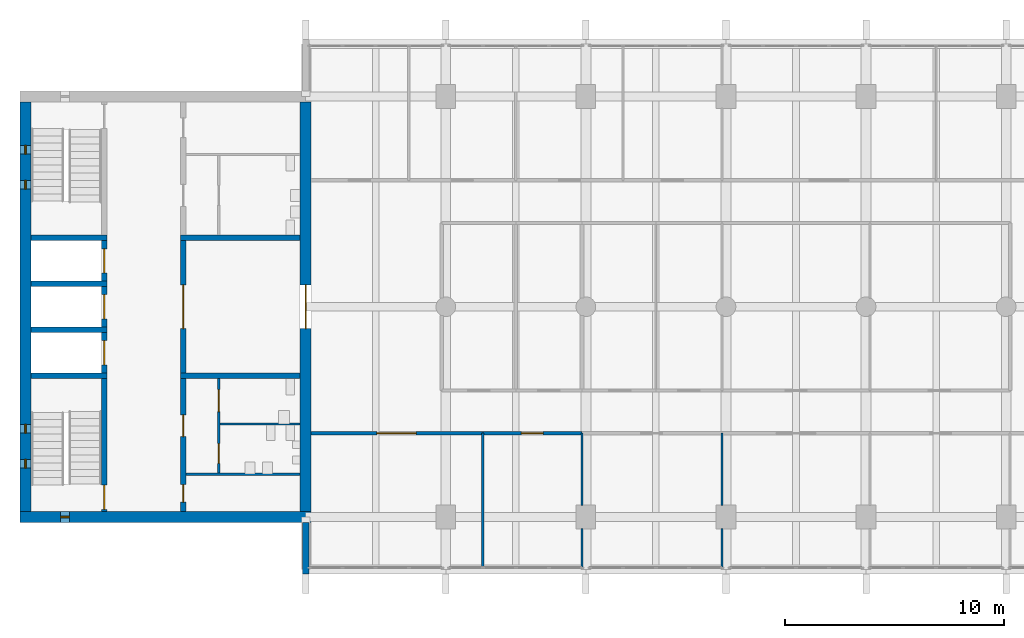
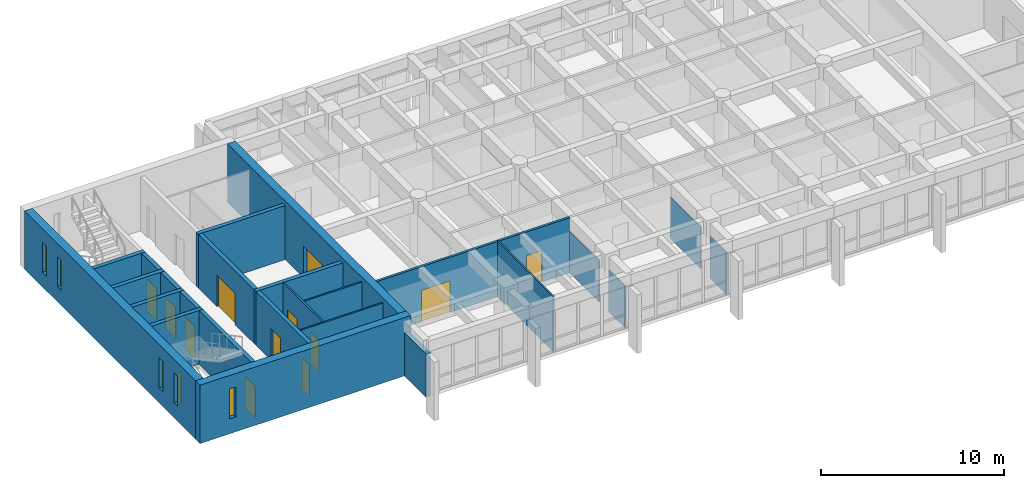
# One storey, part 9 of 15: 26 walls, 12 doors, 5 windows, 17 openings.
"""IFC4 building model written with IfcOpenShell, lengths in metres."""

from ifc_helpers import new_model, si_unit, direction, frame, frame_2d, origin, place, context, subcontext, project, spatial, rectangle, extrude, material, layer, layer_set, type_object, element, fill, save


model = new_model("IFC4")

# Units and contexts
model_context = context("Model", 3, precision=1e-05, world=origin(), true_north=direction((0.0, 1.0)))
body_context = subcontext(model_context, "Body", "Model", "MODEL_VIEW")
ifc_project = project(units=[si_unit("LENGTHUNIT", "METRE"), si_unit("AREAUNIT", "SQUARE_METRE"), si_unit("VOLUMEUNIT", "CUBIC_METRE"), si_unit("PLANEANGLEUNIT", "RADIAN"), si_unit("MASSUNIT", "GRAM", prefix="KILO")], contexts=[model_context])

# Site, building, storey
site_placement = place(None, origin())
site = spatial("IfcSite", under=ifc_project, at=site_placement, CompositionType="ELEMENT")
building_placement = place(site_placement, origin())
building = spatial("IfcBuilding", under=site, at=building_placement, Name="Fogon Plaza Fire Station and Headquarters Tower", CompositionType="ELEMENT")
storey_placement = place(building_placement, frame((0.0, 0.0, 48.300048828125)))
storey = spatial("IfcBuildingStorey", under=building, at=storey_placement, Name="L12", CompositionType="ELEMENT", Elevation=48.300048828125)

# Walls
ifc_material_1 = material(Name="Concrete C40", Category="concrete")
ifc_layer_1 = layer(ifc_material_1, 0.25)
ifc_layer_set_1 = layer_set([ifc_layer_1], Name="Concrete C40")
wall_type_1 = type_object("IfcWallType", Name="Core Wall RC 250", PredefinedType="SOLIDWALL", material=ifc_layer_set_1)
for number, where, z_axis, x_axis, name in (
    (1, (13.050048828125, 40.050048828125, 0.0), (0.0, 0.0, 1.0), (1.0, 0.0, 0.0), "Core A shaft wall"),
    (2, (13.050048828125, 42.14990234375, 0.0), (0.0, 0.0, 1.0), (1.0, 0.0, 0.0), "Core A shaft wall"),
    (3, (13.050048828125, 44.25, 0.0), (0.0, 0.0, 1.0), (1.0, 0.0, 0.0), "Core A shaft wall"),
    (4, (13.050048828125, 46.35009765625, 0.0), (0.0, 0.0, 1.0), (1.0, 0.0, 0.0), "Core A shaft wall"),
):
    element("IfcWall", number, at=place(storey_placement, frame(where, z_axis=z_axis, x_axis=x_axis)), inside=storey, type_object=wall_type_1, Name=name, PredefinedType="SOLIDWALL", context=body_context, shape_type="SweptSolid", body=[
        extrude(rectangle(XDim=3.474853515625, YDim=0.25, at=frame_2d((1.7373046875, 0.0))), origin(), (0.0, 0.0, 1.0), 3.599853515625),
    ])

# Wall, opening, door
wall_1_placement = place(storey_placement, frame((16.39990234375, 33.85009765625, 0.0), z_axis=(0.0, 0.0, 1.0), x_axis=(0.0, 1.0, 0.0)))
wall_1 = element("IfcWall", 5, at=wall_1_placement, inside=storey, type_object=wall_type_1, Name="Core A shaft wall", PredefinedType="SOLIDWALL", context=body_context, shape_type="SweptSolid", body=[
    extrude(rectangle(XDim=6.074951171875, YDim=0.25, at=frame_2d((3.03759765625, 0.0))), origin(), (0.0, 0.0, 1.0), 3.599853515625),
])
opening_1_placement = place(wall_1_placement, frame((0.10009765625, 0.0, 0.0)))
opening_1 = element("IfcOpeningElement", 6, at=opening_1_placement, cuts=wall_1, Name="Opening L12-D01", PredefinedType="OPENING", context=body_context, shape_type="SweptSolid", body=[
    extrude(rectangle(XDim=1.10009765625, YDim=2.10009765625, at=frame_2d((0.550048828125, 1.050048828125))), frame((0.0, 0.135009765625, 0.0), z_axis=(0.0, -1.0, 0.0), x_axis=(1.0, 0.0, 0.0)), (0.0, 0.0, 1.0), 0.27001953125),
])
ifc_material_2 = material(Name="Steel Fire Door Leaf", Category="steel")
door_type_1 = type_object("IfcDoorType", Name="Stair Door Single 1100x2100", OperationType="SINGLE_SWING_LEFT", PredefinedType="DOOR", material=ifc_material_2)
door_1_placement = place(opening_1_placement, origin())
door_1 = element("IfcDoor", 7, at=door_1_placement, inside=storey, type_object=door_type_1, Name="Stair door ST1", OperationType="SINGLE_SWING_LEFT", OverallHeight=2.10009765625, OverallWidth=1.10009765625, PredefinedType="DOOR", context=body_context, shape_type="SweptSolid", body=[
    extrude(rectangle(XDim=1.10009765625, YDim=2.10009765625, at=frame_2d((0.550048828125, 1.050048828125))), frame((0.0, 0.02490234375, 0.0), z_axis=(0.0, -1.0, 0.0), x_axis=(1.0, 0.0, 0.0)), (0.0, 0.0, 1.0), 0.050048828125),
])
fill(opening_1, door_1)

wall_2_placement = place(storey_placement, frame((16.39990234375, 40.175048828125, 0.0), z_axis=(0.0, 0.0, 1.0), x_axis=(0.0, 1.0, 0.0)))
wall_2 = element("IfcWall", 8, at=wall_2_placement, inside=storey, type_object=wall_type_1, Name="Core A shaft wall", PredefinedType="SOLIDWALL", context=body_context, shape_type="SweptSolid", body=[
    extrude(rectangle(XDim=1.849853515625, YDim=0.25, at=frame_2d((0.9248046875, 0.0))), origin(), (0.0, 0.0, 1.0), 3.599853515625),
])
opening_2_placement = place(wall_2_placement, frame((0.375, 0.0, 0.0)))
opening_2 = element("IfcOpeningElement", 9, at=opening_2_placement, cuts=wall_2, Name="Opening L12-D03", PredefinedType="OPENING", context=body_context, shape_type="SweptSolid", body=[
    extrude(rectangle(XDim=1.10009765625, YDim=2.10009765625, at=frame_2d((0.550048828125, 1.050048828125))), frame((0.0, 0.135009765625, 0.0), z_axis=(0.0, -1.0, 0.0), x_axis=(1.0, 0.0, 0.0)), (0.0, 0.0, 1.0), 0.27001953125),
])
ifc_material_3 = material(Name="Stainless Steel", Category="steel")
door_type_2 = type_object("IfcDoorType", Name="Lift Landing Door 1100x2100", OperationType="SLIDING_TO_LEFT", PredefinedType="DOOR", material=ifc_material_3)
door_2_placement = place(opening_2_placement, origin())
door_2 = element("IfcDoor", 10, at=door_2_placement, inside=storey, type_object=door_type_2, Name="Lift LP1 landing door", OperationType="SLIDING_TO_LEFT", OverallHeight=2.10009765625, OverallWidth=1.10009765625, PredefinedType="DOOR", context=body_context, shape_type="SweptSolid", body=[
    extrude(rectangle(XDim=1.10009765625, YDim=2.10009765625, at=frame_2d((0.550048828125, 1.050048828125))), frame((0.0, 0.02490234375, 0.0), z_axis=(0.0, -1.0, 0.0), x_axis=(1.0, 0.0, 0.0)), (0.0, 0.0, 1.0), 0.050048828125),
])
fill(opening_2, door_2)

wall_3_placement = place(storey_placement, frame((16.39990234375, 42.27490234375, 0.0), z_axis=(0.0, 0.0, 1.0), x_axis=(0.0, 1.0, 0.0)))
wall_3 = element("IfcWall", 11, at=wall_3_placement, inside=storey, type_object=wall_type_1, Name="Core A shaft wall", PredefinedType="SOLIDWALL", context=body_context, shape_type="SweptSolid", body=[
    extrude(rectangle(XDim=1.85009765625, YDim=0.25, at=frame_2d((0.925048828125, 0.0))), origin(), (0.0, 0.0, 1.0), 3.599853515625),
])
opening_3_placement = place(wall_3_placement, frame((0.375, 0.0, 0.0)))
opening_3 = element("IfcOpeningElement", 12, at=opening_3_placement, cuts=wall_3, Name="Opening L12-D04", PredefinedType="OPENING", context=body_context, shape_type="SweptSolid", body=[
    extrude(rectangle(XDim=1.10009765625, YDim=2.10009765625, at=frame_2d((0.550048828125, 1.050048828125))), frame((0.0, 0.135009765625, 0.0), z_axis=(0.0, -1.0, 0.0), x_axis=(1.0, 0.0, 0.0)), (0.0, 0.0, 1.0), 0.27001953125),
])
door_3_placement = place(opening_3_placement, origin())
door_3 = element("IfcDoor", 13, at=door_3_placement, inside=storey, type_object=door_type_2, Name="Lift LP2 landing door", OperationType="SLIDING_TO_LEFT", OverallHeight=2.10009765625, OverallWidth=1.10009765625, PredefinedType="DOOR", context=body_context, shape_type="SweptSolid", body=[
    extrude(rectangle(XDim=1.10009765625, YDim=2.10009765625, at=frame_2d((0.550048828125, 1.050048828125))), frame((0.0, 0.02490234375, 0.0), z_axis=(0.0, -1.0, 0.0), x_axis=(1.0, 0.0, 0.0)), (0.0, 0.0, 1.0), 0.050048828125),
])
fill(opening_3, door_3)

wall_4_placement = place(storey_placement, frame((16.39990234375, 44.375, 0.0), z_axis=(0.0, 0.0, 1.0), x_axis=(0.0, 1.0, 0.0)))
wall_4 = element("IfcWall", 14, at=wall_4_placement, inside=storey, type_object=wall_type_1, Name="Core A shaft wall", PredefinedType="SOLIDWALL", context=body_context, shape_type="SweptSolid", body=[
    extrude(rectangle(XDim=1.85009765625, YDim=0.25, at=frame_2d((0.925048828125, 0.0))), origin(), (0.0, 0.0, 1.0), 3.599853515625),
])
opening_4_placement = place(wall_4_placement, frame((0.375, 0.0, 0.0)))
opening_4 = element("IfcOpeningElement", 15, at=opening_4_placement, cuts=wall_4, Name="Opening L12-D05", PredefinedType="OPENING", context=body_context, shape_type="SweptSolid", body=[
    extrude(rectangle(XDim=1.10009765625, YDim=2.10009765625, at=frame_2d((0.550048828125, 1.050048828125))), frame((0.0, 0.135009765625, 0.0), z_axis=(0.0, -1.0, 0.0), x_axis=(1.0, 0.0, 0.0)), (0.0, 0.0, 1.0), 0.27001953125),
])
door_4_placement = place(opening_4_placement, origin())
door_4 = element("IfcDoor", 16, at=door_4_placement, inside=storey, type_object=door_type_2, Name="Lift FL1 landing door", OperationType="SLIDING_TO_LEFT", OverallHeight=2.10009765625, OverallWidth=1.10009765625, PredefinedType="DOOR", context=body_context, shape_type="SweptSolid", body=[
    extrude(rectangle(XDim=1.10009765625, YDim=2.10009765625, at=frame_2d((0.550048828125, 1.050048828125))), frame((0.0, 0.02490234375, 0.0), z_axis=(0.0, -1.0, 0.0), x_axis=(1.0, 0.0, 0.0)), (0.0, 0.0, 1.0), 0.050048828125),
])
fill(opening_4, door_4)

# Wall, openings, doors
wall_5_placement = place(storey_placement, frame((20.0, 33.85009765625, 0.0), z_axis=(0.0, 0.0, 1.0), x_axis=(0.0, 1.0, 0.0)))
wall_5 = element("IfcWall", 17, at=wall_5_placement, inside=storey, type_object=wall_type_1, Name="Core A shaft wall", PredefinedType="SOLIDWALL", context=body_context, shape_type="SweptSolid", body=[
    extrude(rectangle(XDim=6.074951171875, YDim=0.25, at=frame_2d((3.03759765625, 0.0))), origin(), (0.0, 0.0, 1.0), 3.599853515625),
])
opening_5_placement = place(wall_5_placement, frame((0.425048828125, 0.0, 0.0)))
opening_5 = element("IfcOpeningElement", 18, at=opening_5_placement, cuts=wall_5, Name="Opening L12-D08", PredefinedType="OPENING", context=body_context, shape_type="SweptSolid", body=[
    extrude(rectangle(XDim=0.800048828125, YDim=2.10009765625, at=frame_2d((0.39990234375, 1.050048828125))), frame((0.0, 0.135009765625, 0.0), z_axis=(0.0, -1.0, 0.0), x_axis=(1.0, 0.0, 0.0)), (0.0, 0.0, 1.0), 0.27001953125),
])
opening_6_placement = place(wall_5_placement, frame((3.41259765625, 0.0, 0.0)))
opening_6 = element("IfcOpeningElement", 19, at=opening_6_placement, cuts=wall_5, Name="Opening L12-D09", PredefinedType="OPENING", context=body_context, shape_type="SweptSolid", body=[
    extrude(rectangle(XDim=1.0, YDim=2.10009765625, at=frame_2d((0.5, 1.050048828125))), frame((0.0, 0.135009765625, 0.0), z_axis=(0.0, -1.0, 0.0), x_axis=(1.0, 0.0, 0.0)), (0.0, 0.0, 1.0), 0.27001953125),
])
ifc_material_4 = material(Name="Timber Door Leaf", Category="wood")
door_type_3 = type_object("IfcDoorType", Name="Cleaner Store Single 800x2100", OperationType="SINGLE_SWING_LEFT", PredefinedType="DOOR", material=ifc_material_4)
door_5_placement = place(opening_5_placement, frame((0.800048828125, 0.0, 0.0), z_axis=(0.0, 0.0, 1.0), x_axis=(-1.0, 0.0, 0.0)))
door_5 = element("IfcDoor", 20, at=door_5_placement, inside=storey, type_object=door_type_3, Name="Cleaner's store A door", OperationType="SINGLE_SWING_RIGHT", OverallHeight=2.10009765625, OverallWidth=0.800048828125, PredefinedType="DOOR", context=body_context, shape_type="SweptSolid", body=[
    extrude(rectangle(XDim=0.800048828125, YDim=2.10009765625, at=frame_2d((0.39990234375, 1.050048828125))), frame((0.0, 0.02490234375, 0.0), z_axis=(0.0, -1.0, 0.0), x_axis=(1.0, 0.0, 0.0)), (0.0, 0.0, 1.0), 0.050048828125),
])
fill(opening_5, door_5)
ifc_material_5 = material(Name="Timber fire door", Category="wood")
door_type_4 = type_object("IfcDoorType", Name="WC Lobby Single 1000x2100", OperationType="SINGLE_SWING_LEFT", PredefinedType="DOOR", material=ifc_material_5)
door_6_placement = place(opening_6_placement, frame((1.0, 0.0, 0.0), z_axis=(0.0, 0.0, 1.0), x_axis=(-1.0, 0.0, 0.0)))
door_6 = element("IfcDoor", 21, at=door_6_placement, inside=storey, type_object=door_type_4, Name="Men's WC lobby A door", OperationType="SINGLE_SWING_LEFT", OverallHeight=2.10009765625, OverallWidth=1.0, PredefinedType="DOOR", context=body_context, shape_type="SweptSolid", body=[
    extrude(rectangle(XDim=1.0, YDim=2.10009765625, at=frame_2d((0.5, 1.050048828125))), frame((0.0, 0.02490234375, 0.0), z_axis=(0.0, -1.0, 0.0), x_axis=(1.0, 0.0, 0.0)), (0.0, 0.0, 1.0), 0.050048828125),
])
fill(opening_6, door_6)

# Wall, opening, door
wall_6_placement = place(storey_placement, frame((20.0, 40.175048828125, 0.0), z_axis=(0.0, 0.0, 1.0), x_axis=(0.0, 1.0, 0.0)))
wall_6 = element("IfcWall", 22, at=wall_6_placement, inside=storey, type_object=wall_type_1, Name="Core A shaft wall", PredefinedType="SOLIDWALL", context=body_context, shape_type="SweptSolid", body=[
    extrude(rectangle(XDim=6.050048828125, YDim=0.25, at=frame_2d((3.02490234375, 0.0))), origin(), (0.0, 0.0, 1.0), 3.599853515625),
])
opening_7_placement = place(wall_6_placement, frame((2.02490234375, 0.0, 0.0)))
opening_7 = element("IfcOpeningElement", 23, at=opening_7_placement, cuts=wall_6, Name="Opening L12-D06", PredefinedType="OPENING", context=body_context, shape_type="SweptSolid", body=[
    extrude(rectangle(XDim=2.0, YDim=2.10009765625, at=frame_2d((1.0, 1.050048828125))), frame((0.0, 0.135009765625, 0.0), z_axis=(0.0, -1.0, 0.0), x_axis=(1.0, 0.0, 0.0)), (0.0, 0.0, 1.0), 0.27001953125),
])
ifc_material_6 = material(Name="Steel Fire Door Leaf", Category="steel")
door_type_5 = type_object("IfcDoorType", Name="Vestibule Double 2000x2100", OperationType="DOUBLE_DOOR_SINGLE_SWING", PredefinedType="DOOR", material=ifc_material_6)
door_7_placement = place(opening_7_placement, frame((2.0, 0.0, 0.0), z_axis=(0.0, 0.0, 1.0), x_axis=(-1.0, 0.0, 0.0)))
door_7 = element("IfcDoor", 24, at=door_7_placement, inside=storey, type_object=door_type_5, Name="Vestibule A door", OperationType="DOUBLE_DOOR_SINGLE_SWING", OverallHeight=2.10009765625, OverallWidth=2.0, PredefinedType="DOOR", context=body_context, shape_type="SweptSolid", body=[
    extrude(rectangle(XDim=2.0, YDim=2.10009765625, at=frame_2d((1.0, 1.050048828125))), frame((0.0, 0.02490234375, 0.0), z_axis=(0.0, -1.0, 0.0), x_axis=(1.0, 0.0, 0.0)), (0.0, 0.0, 1.0), 0.050048828125),
])
fill(opening_7, door_7)

# Walls
for number, where, z_axis, x_axis, name in (
    (25, (19.875, 40.050048828125, 0.0), (0.0, 0.0, 1.0), (1.0, 0.0, 0.0), "Core A shaft wall"),
    (26, (19.875, 46.35009765625, 0.0), (0.0, 0.0, 1.0), (1.0, 0.0, 0.0), "Core A shaft wall"),
):
    element("IfcWall", number, at=place(storey_placement, frame(where, z_axis=z_axis, x_axis=x_axis)), inside=storey, type_object=wall_type_1, Name=name, PredefinedType="SOLIDWALL", context=body_context, shape_type="SweptSolid", body=[
        extrude(rectangle(XDim=5.47509765625, YDim=0.25, at=frame_2d((2.737548828125, 0.0))), origin(), (0.0, 0.0, 1.0), 3.599853515625),
    ])
ifc_material_7 = material(Name="Concrete C40", Category="concrete")
ifc_layer_2 = layer(ifc_material_7, 0.300048828125)
ifc_layer_set_2 = layer_set([ifc_layer_2], Name="Concrete C40")
wall_type_2 = type_object("IfcWallType", Name="Fair-faced RC Return Panel 300", PredefinedType="SOLIDWALL", material=ifc_layer_set_2)
wall_7_placement = place(storey_placement, frame((25.60009765625, 31.0, 0.0), z_axis=(0.0, 0.0, 1.0), x_axis=(0.0, 1.0, 0.0)))
element("IfcWall", 27, at=wall_7_placement, inside=storey, type_object=wall_type_2, Name="Bar end return WS L12", PredefinedType="SOLIDWALL", context=body_context, shape_type="SweptSolid", body=[
    extrude(rectangle(XDim=2.35009765625, YDim=0.300048828125, at=frame_2d((1.175048828125, 0.0))), origin(), (0.0, 0.0, 1.0), 2.8798828125),
])
ifc_material_8 = material(Name="Blockwork", Category="masonry")
ifc_layer_3 = layer(ifc_material_8, 0.10009765625)
ifc_layer_set_3 = layer_set([ifc_layer_3], Name="Blockwork")
wall_type_3 = type_object("IfcWallType", Name="Partition Blockwork 100", PredefinedType="PARTITIONING", material=ifc_layer_set_3)
wall_8_placement = place(storey_placement, frame((20.125, 35.550048828125, 0.0), z_axis=(0.0, 0.0, 1.0), x_axis=(1.0, 0.0, 0.0)))
element("IfcWall", 28, at=wall_8_placement, inside=storey, type_object=wall_type_3, Name="Cleaner's store partition", PredefinedType="PARTITIONING", context=body_context, shape_type="SweptSolid", body=[
    extrude(rectangle(XDim=5.22509765625, YDim=0.10009765625, at=frame_2d((2.612548828125, 0.0))), origin(), (0.0, 0.0, 1.0), 3.599853515625),
])

# Wall, openings, doors
wall_9_placement = place(storey_placement, frame((21.625, 35.60009765625, 0.0), z_axis=(0.0, 0.0, 1.0), x_axis=(0.0, 1.0, 0.0)))
wall_9 = element("IfcWall", 29, at=wall_9_placement, inside=storey, type_object=wall_type_3, Name="WC block partition", PredefinedType="PARTITIONING", context=body_context, shape_type="SweptSolid", body=[
    extrude(rectangle(XDim=4.324951171875, YDim=0.10009765625, at=frame_2d((2.16259765625, 0.0))), origin(), (0.0, 0.0, 1.0), 3.599853515625),
])
opening_8_placement = place(wall_9_placement, frame((0.449951171875, 0.0, 0.0)))
opening_8 = element("IfcOpeningElement", 30, at=opening_8_placement, cuts=wall_9, Name="Opening L12-D10", PredefinedType="OPENING", context=body_context, shape_type="SweptSolid", body=[
    extrude(rectangle(XDim=0.89990234375, YDim=2.10009765625, at=frame_2d((0.449951171875, 1.050048828125))), frame((0.0, 0.06005859375, 0.0), z_axis=(0.0, -1.0, 0.0), x_axis=(1.0, 0.0, 0.0)), (0.0, 0.0, 1.0), 0.1201171875),
])
opening_9_placement = place(wall_9_placement, frame((2.8125, 0.0, 0.0)))
opening_9 = element("IfcOpeningElement", 31, at=opening_9_placement, cuts=wall_9, Name="Opening L12-D11", PredefinedType="OPENING", context=body_context, shape_type="SweptSolid", body=[
    extrude(rectangle(XDim=1.0, YDim=2.10009765625, at=frame_2d((0.5, 1.050048828125))), frame((0.0, 0.06005859375, 0.0), z_axis=(0.0, -1.0, 0.0), x_axis=(1.0, 0.0, 0.0)), (0.0, 0.0, 1.0), 0.1201171875),
])
ifc_material_9 = material(Name="Timber Door Leaf", Category="wood")
door_type_6 = type_object("IfcDoorType", Name="Accessible WC Single 1000x2100", OperationType="SINGLE_SWING_LEFT", PredefinedType="DOOR", material=ifc_material_9)
door_8_placement = place(opening_9_placement, frame((1.0, 0.0, 0.0), z_axis=(0.0, 0.0, 1.0), x_axis=(-1.0, 0.0, 0.0)))
door_8 = element("IfcDoor", 32, at=door_8_placement, inside=storey, type_object=door_type_6, Name="Accessible WC A door", OperationType="SINGLE_SWING_LEFT", OverallHeight=2.10009765625, OverallWidth=1.0, PredefinedType="DOOR", context=body_context, shape_type="SweptSolid", body=[
    extrude(rectangle(XDim=1.0, YDim=2.10009765625, at=frame_2d((0.5, 1.050048828125))), frame((0.0, 0.02490234375, 0.0), z_axis=(0.0, -1.0, 0.0), x_axis=(1.0, 0.0, 0.0)), (0.0, 0.0, 1.0), 0.050048828125),
])
fill(opening_9, door_8)
ifc_material_10 = material(Name="Timber Door Leaf", Category="wood")
door_type_7 = type_object("IfcDoorType", Name="WC Single 900x2100", OperationType="SINGLE_SWING_LEFT", PredefinedType="DOOR", material=ifc_material_10)
door_9_placement = place(opening_8_placement, frame((0.89990234375, 0.0, 0.0), z_axis=(0.0, 0.0, 1.0), x_axis=(-1.0, 0.0, 0.0)))
door_9 = element("IfcDoor", 33, at=door_9_placement, inside=storey, type_object=door_type_7, Name="Men's WC A door", OperationType="SINGLE_SWING_RIGHT", OverallHeight=2.10009765625, OverallWidth=0.89990234375, PredefinedType="DOOR", context=body_context, shape_type="SweptSolid", body=[
    extrude(rectangle(XDim=0.89990234375, YDim=2.10009765625, at=frame_2d((0.449951171875, 1.050048828125))), frame((0.0, 0.02490234375, 0.0), z_axis=(0.0, -1.0, 0.0), x_axis=(1.0, 0.0, 0.0)), (0.0, 0.0, 1.0), 0.050048828125),
])
fill(opening_8, door_9)

# Wall
wall_10_placement = place(storey_placement, frame((21.675048828125, 37.85009765625, 0.0), z_axis=(0.0, 0.0, 1.0), x_axis=(1.0, 0.0, 0.0)))
element("IfcWall", 34, at=wall_10_placement, inside=storey, type_object=wall_type_3, Name="WC block partition", PredefinedType="PARTITIONING", context=body_context, shape_type="SweptSolid", body=[
    extrude(rectangle(XDim=3.675048828125, YDim=0.10009765625, at=frame_2d((1.83740234375, 0.0))), origin(), (0.0, 0.0, 1.0), 3.599853515625),
])

# Wall, opening, window
ifc_material_11 = material(Name="Concrete C40", Category="concrete")
ifc_layer_4 = layer(ifc_material_11, 0.5)
ifc_layer_set_4 = layer_set([ifc_layer_4], Name="Concrete C40")
wall_type_4 = type_object("IfcWallType", Name="Shear wall 500 SW50", PredefinedType="SHEAR", material=ifc_layer_set_4)
wall_11_placement = place(storey_placement, frame((12.550048828125, 33.60009765625, 0.0), z_axis=(0.0, 0.0, 1.0), x_axis=(1.0, 0.0, 0.0)))
wall_11 = element("IfcWall", 35, at=wall_11_placement, inside=storey, type_object=wall_type_4, Name="wall-coreA-S-L12", PredefinedType="SHEAR", context=body_context, shape_type="SweptSolid", body=[
    extrude(rectangle(XDim=13.300048828125, YDim=0.5, at=frame_2d((6.64990234375, 0.0))), origin(), (0.0, 0.0, 1.0), 3.89990234375),
])
opening_10_placement = place(wall_11_placement, frame((1.85009765625, 0.0, 1.0)))
opening_10 = element("IfcOpeningElement", 36, at=opening_10_placement, cuts=wall_11, Name="Opening WS1", PredefinedType="OPENING", context=body_context, shape_type="SweptSolid", body=[
    extrude(rectangle(XDim=0.39990234375, YDim=2.0, at=frame_2d((0.199951171875, 1.0))), frame((0.0, 0.260009765625, 0.0), z_axis=(0.0, -1.0, 0.0), x_axis=(1.0, 0.0, 0.0)), (0.0, 0.0, 1.0), 0.52001953125),
])
ifc_material_12 = material(Name="Aluminium framed double glazing", Category="aluminium")
window_type = type_object("IfcWindowType", Name="Slit Window WS1 400x2000", PartitioningType="SINGLE_PANEL", PredefinedType="WINDOW", material=ifc_material_12)
window_1_placement = place(opening_10_placement, origin())
window_1 = element("IfcWindow", 37, at=window_1_placement, inside=storey, type_object=window_type, Name="Slit window A5 L12", OverallHeight=2.0, OverallWidth=0.39990234375, PartitioningType="SINGLE_PANEL", PredefinedType="WINDOW", context=body_context, shape_type="SweptSolid", body=[
    extrude(rectangle(XDim=0.39990234375, YDim=2.0, at=frame_2d((0.199951171875, 1.0))), frame((0.0, 0.030029296875, 0.0), z_axis=(0.0, -1.0, 0.0), x_axis=(1.0, 0.0, 0.0)), (0.0, 0.0, 1.0), 0.06005859375),
])
fill(opening_10, window_1)

# Wall, opening, door
wall_12_placement = place(storey_placement, frame((25.60009765625, 33.85009765625, 0.0), z_axis=(0.0, 0.0, 1.0), x_axis=(0.0, 1.0, 0.0)))
wall_12 = element("IfcWall", 38, at=wall_12_placement, inside=storey, type_object=wall_type_4, Name="wall-coreA-E-L12", PredefinedType="SHEAR", context=body_context, shape_type="SweptSolid", body=[
    extrude(rectangle(XDim=18.699951171875, YDim=0.5, at=frame_2d((9.35009765625, 0.0))), origin(), (0.0, 0.0, 1.0), 3.89990234375),
])
opening_11_placement = place(wall_12_placement, frame((8.35009765625, 0.0, 0.0)))
opening_11 = element("IfcOpeningElement", 39, at=opening_11_placement, cuts=wall_12, Name="Opening L12-D07", PredefinedType="OPENING", context=body_context, shape_type="SweptSolid", body=[
    extrude(rectangle(XDim=2.0, YDim=2.10009765625, at=frame_2d((1.0, 1.050048828125))), frame((0.0, 0.260009765625, 0.0), z_axis=(0.0, -1.0, 0.0), x_axis=(1.0, 0.0, 0.0)), (0.0, 0.0, 1.0), 0.52001953125),
])
door_10_placement = place(opening_11_placement, origin())
door_10 = element("IfcDoor", 40, at=door_10_placement, inside=storey, type_object=door_type_5, Name="Vestibule A door to the office zone", OperationType="DOUBLE_DOOR_SINGLE_SWING", OverallHeight=2.10009765625, OverallWidth=2.0, PredefinedType="DOOR", context=body_context, shape_type="SweptSolid", body=[
    extrude(rectangle(XDim=2.0, YDim=2.10009765625, at=frame_2d((1.0, 1.050048828125))), frame((0.0, 0.02490234375, 0.0), z_axis=(0.0, -1.0, 0.0), x_axis=(1.0, 0.0, 0.0)), (0.0, 0.0, 1.0), 0.050048828125),
])
fill(opening_11, door_10)

# Wall, openings, windows
wall_13_placement = place(storey_placement, frame((12.800048828125, 33.85009765625, 0.0), z_axis=(0.0, 0.0, 1.0), x_axis=(0.0, 1.0, 0.0)))
wall_13 = element("IfcWall", 41, at=wall_13_placement, inside=storey, type_object=wall_type_4, Name="wall-coreA-W-L12", PredefinedType="SHEAR", context=body_context, shape_type="SweptSolid", body=[
    extrude(rectangle(XDim=18.699951171875, YDim=0.5, at=frame_2d((9.35009765625, 0.0))), origin(), (0.0, 0.0, 1.0), 3.89990234375),
])
opening_12_placement = place(wall_13_placement, frame((1.97509765625, 0.0, 1.0)))
opening_12 = element("IfcOpeningElement", 42, at=opening_12_placement, cuts=wall_13, Name="Opening WS1", PredefinedType="OPENING", context=body_context, shape_type="SweptSolid", body=[
    extrude(rectangle(XDim=0.39990234375, YDim=2.0, at=frame_2d((0.199951171875, 1.0))), frame((0.0, 0.260009765625, 0.0), z_axis=(0.0, -1.0, 0.0), x_axis=(1.0, 0.0, 0.0)), (0.0, 0.0, 1.0), 0.52001953125),
])
opening_13_placement = place(wall_13_placement, frame((3.574951171875, 0.0, 1.0)))
opening_13 = element("IfcOpeningElement", 43, at=opening_13_placement, cuts=wall_13, Name="Opening WS1", PredefinedType="OPENING", context=body_context, shape_type="SweptSolid", body=[
    extrude(rectangle(XDim=0.39990234375, YDim=2.0, at=frame_2d((0.199951171875, 1.0))), frame((0.0, 0.260009765625, 0.0), z_axis=(0.0, -1.0, 0.0), x_axis=(1.0, 0.0, 0.0)), (0.0, 0.0, 1.0), 0.52001953125),
])
opening_14_placement = place(wall_13_placement, frame((14.72509765625, 0.0, 1.0)))
opening_14 = element("IfcOpeningElement", 44, at=opening_14_placement, cuts=wall_13, Name="Opening WS1", PredefinedType="OPENING", context=body_context, shape_type="SweptSolid", body=[
    extrude(rectangle(XDim=0.39990234375, YDim=2.0, at=frame_2d((0.199951171875, 1.0))), frame((0.0, 0.260009765625, 0.0), z_axis=(0.0, -1.0, 0.0), x_axis=(1.0, 0.0, 0.0)), (0.0, 0.0, 1.0), 0.52001953125),
])
opening_15_placement = place(wall_13_placement, frame((16.324951171875, 0.0, 1.0)))
opening_15 = element("IfcOpeningElement", 45, at=opening_15_placement, cuts=wall_13, Name="Opening WS1", PredefinedType="OPENING", context=body_context, shape_type="SweptSolid", body=[
    extrude(rectangle(XDim=0.39990234375, YDim=2.0, at=frame_2d((0.199951171875, 1.0))), frame((0.0, 0.260009765625, 0.0), z_axis=(0.0, -1.0, 0.0), x_axis=(1.0, 0.0, 0.0)), (0.0, 0.0, 1.0), 0.52001953125),
])
window_2_placement = place(opening_12_placement, origin())
window_2 = element("IfcWindow", 46, at=window_2_placement, inside=storey, type_object=window_type, Name="Slit window A1 L12", OverallHeight=2.0, OverallWidth=0.39990234375, PartitioningType="SINGLE_PANEL", PredefinedType="WINDOW", context=body_context, shape_type="SweptSolid", body=[
    extrude(rectangle(XDim=0.39990234375, YDim=2.0, at=frame_2d((0.199951171875, 1.0))), frame((0.0, 0.030029296875, 0.0), z_axis=(0.0, -1.0, 0.0), x_axis=(1.0, 0.0, 0.0)), (0.0, 0.0, 1.0), 0.06005859375),
])
fill(opening_12, window_2)
window_3_placement = place(opening_13_placement, origin())
window_3 = element("IfcWindow", 47, at=window_3_placement, inside=storey, type_object=window_type, Name="Slit window A2 L12", OverallHeight=2.0, OverallWidth=0.39990234375, PartitioningType="SINGLE_PANEL", PredefinedType="WINDOW", context=body_context, shape_type="SweptSolid", body=[
    extrude(rectangle(XDim=0.39990234375, YDim=2.0, at=frame_2d((0.199951171875, 1.0))), frame((0.0, 0.030029296875, 0.0), z_axis=(0.0, -1.0, 0.0), x_axis=(1.0, 0.0, 0.0)), (0.0, 0.0, 1.0), 0.06005859375),
])
fill(opening_13, window_3)
window_4_placement = place(opening_14_placement, origin())
window_4 = element("IfcWindow", 48, at=window_4_placement, inside=storey, type_object=window_type, Name="Slit window A3 L12", OverallHeight=2.0, OverallWidth=0.39990234375, PartitioningType="SINGLE_PANEL", PredefinedType="WINDOW", context=body_context, shape_type="SweptSolid", body=[
    extrude(rectangle(XDim=0.39990234375, YDim=2.0, at=frame_2d((0.199951171875, 1.0))), frame((0.0, 0.030029296875, 0.0), z_axis=(0.0, -1.0, 0.0), x_axis=(1.0, 0.0, 0.0)), (0.0, 0.0, 1.0), 0.06005859375),
])
fill(opening_14, window_4)
window_5_placement = place(opening_15_placement, origin())
window_5 = element("IfcWindow", 49, at=window_5_placement, inside=storey, type_object=window_type, Name="Slit window A4 L12", OverallHeight=2.0, OverallWidth=0.39990234375, PartitioningType="SINGLE_PANEL", PredefinedType="WINDOW", context=body_context, shape_type="SweptSolid", body=[
    extrude(rectangle(XDim=0.39990234375, YDim=2.0, at=frame_2d((0.199951171875, 1.0))), frame((0.0, 0.030029296875, 0.0), z_axis=(0.0, -1.0, 0.0), x_axis=(1.0, 0.0, 0.0)), (0.0, 0.0, 1.0), 0.06005859375),
])
fill(opening_15, window_5)

# Wall, opening, door
ifc_material_13 = material(Name="Gypsum board on steel stud", Category="steel")
ifc_layer_5 = layer(ifc_material_13, 0.14990234375)
ifc_layer_set_5 = layer_set([ifc_layer_5], Name="Gypsum board on steel stud")
wall_type_5 = type_object("IfcWallType", Name="Tower corridor partition 150 EI 60", PredefinedType="PARTITIONING", material=ifc_layer_set_5)
wall_14_placement = place(storey_placement, frame((25.85009765625, 37.425048828125, 0.0), z_axis=(0.0, 0.0, 1.0), x_axis=(1.0, 0.0, 0.0)))
wall_14 = element("IfcWall", 50, at=wall_14_placement, inside=storey, type_object=wall_type_5, Name="part-L12-01", PredefinedType="PARTITIONING", context=body_context, shape_type="SweptSolid", body=[
    extrude(rectangle(XDim=7.83984375, YDim=0.14990234375, at=frame_2d((3.919921875, 0.0))), origin(), (0.0, 0.0, 1.0), 3.679931640625),
])
opening_16_placement = place(wall_14_placement, frame((3.0, 0.0, 0.0)))
opening_16 = element("IfcOpeningElement", 51, at=opening_16_placement, cuts=wall_14, Name="Opening L12-D29", PredefinedType="OPENING", context=body_context, shape_type="SweptSolid", body=[
    extrude(rectangle(XDim=1.800048828125, YDim=2.10009765625, at=frame_2d((0.89990234375, 1.050048828125))), frame((0.0, 0.0849609375, 0.0), z_axis=(0.0, -1.0, 0.0), x_axis=(1.0, 0.0, 0.0)), (0.0, 0.0, 1.0), 0.169921875),
])
ifc_material_14 = material(Name="Timber fire door", Category="wood")
door_type_8 = type_object("IfcDoorType", Name="Tower fire door double 1800 EI 20", OperationType="DOUBLE_DOOR_SINGLE_SWING", PredefinedType="DOOR", material=ifc_material_14)
door_11_placement = place(opening_16_placement, frame((1.800048828125, 0.0, 0.0), z_axis=(0.0, 0.0, 1.0), x_axis=(-1.0, 0.0, 0.0)))
door_11 = element("IfcDoor", 52, at=door_11_placement, inside=storey, type_object=door_type_8, Name="door-L12-01", OperationType="DOUBLE_DOOR_SINGLE_SWING", OverallHeight=2.10009765625, OverallWidth=1.800048828125, PredefinedType="DOOR", context=body_context, shape_type="SweptSolid", body=[
    extrude(rectangle(XDim=1.800048828125, YDim=2.10009765625, at=frame_2d((0.89990234375, 1.050048828125))), frame((0.0, 0.02490234375, 0.0), z_axis=(0.0, -1.0, 0.0), x_axis=(1.0, 0.0, 0.0)), (0.0, 0.0, 1.0), 0.050048828125),
])
fill(opening_16, door_11)

wall_15_placement = place(storey_placement, frame((33.68994140625, 37.425048828125, 0.0), z_axis=(0.0, 0.0, 1.0), x_axis=(1.0, 0.0, 0.0)))
wall_15 = element("IfcWall", 53, at=wall_15_placement, inside=storey, type_object=wall_type_5, Name="part-L12-02", PredefinedType="PARTITIONING", context=body_context, shape_type="SweptSolid", body=[
    extrude(rectangle(XDim=4.530029296875, YDim=0.14990234375, at=frame_2d((2.26513671875, 0.0))), origin(), (0.0, 0.0, 1.0), 3.679931640625),
])
opening_17_placement = place(wall_15_placement, frame((1.760009765625, 0.0, 0.0)))
opening_17 = element("IfcOpeningElement", 54, at=opening_17_placement, cuts=wall_15, Name="Opening L12-D30", PredefinedType="OPENING", context=body_context, shape_type="SweptSolid", body=[
    extrude(rectangle(XDim=1.0, YDim=2.10009765625, at=frame_2d((0.5, 1.050048828125))), frame((0.0, 0.0849609375, 0.0), z_axis=(0.0, -1.0, 0.0), x_axis=(1.0, 0.0, 0.0)), (0.0, 0.0, 1.0), 0.169921875),
])
ifc_material_15 = material(Name="Timber fire door", Category="wood")
door_type_9 = type_object("IfcDoorType", Name="Tower fire door single 1000 EI 20", OperationType="SINGLE_SWING_LEFT", PredefinedType="DOOR", material=ifc_material_15)
door_12_placement = place(opening_17_placement, frame((1.0, 0.0, 0.0), z_axis=(0.0, 0.0, 1.0), x_axis=(-1.0, 0.0, 0.0)))
door_12 = element("IfcDoor", 55, at=door_12_placement, inside=storey, type_object=door_type_9, Name="door-L12-02", OperationType="SINGLE_SWING_RIGHT", OverallHeight=2.10009765625, OverallWidth=1.0, PredefinedType="DOOR", context=body_context, shape_type="SweptSolid", body=[
    extrude(rectangle(XDim=1.0, YDim=2.10009765625, at=frame_2d((0.5, 1.050048828125))), frame((0.0, 0.02490234375, 0.0), z_axis=(0.0, -1.0, 0.0), x_axis=(1.0, 0.0, 0.0)), (0.0, 0.0, 1.0), 0.050048828125),
])
fill(opening_17, door_12)

# Walls
ifc_material_16 = material(Name="Glazed aluminium partition", Category="aluminium")
ifc_layer_6 = layer(ifc_material_16, 0.074951171875)
ifc_layer_set_6 = layer_set([ifc_layer_6], Name="Glazed aluminium partition")
wall_type_6 = type_object("IfcWallType", Name="Tower glazed partition 75 Beam Head 900", PredefinedType="PARTITIONING", material=ifc_layer_set_6)
wall_16_placement = place(storey_placement, frame((38.219970703125, 31.300048828125, 0.0), z_axis=(0.0, 0.0, 1.0), x_axis=(0.0, 1.0, 0.0)))
element("IfcWall", 56, at=wall_16_placement, inside=storey, type_object=wall_type_6, Name="part-L12-08", PredefinedType="PARTITIONING", context=body_context, shape_type="SweptSolid", body=[
    extrude(rectangle(XDim=1.77001953125, YDim=0.074951171875, at=frame_2d((0.885009765625, 0.0))), origin(), (0.0, 0.0, 1.0), 2.780029296875),
])
wall_17_placement = place(storey_placement, frame((38.219970703125, 34.1298828125, 0.0), z_axis=(0.0, 0.0, 1.0), x_axis=(0.0, 1.0, 0.0)))
element("IfcWall", 57, at=wall_17_placement, inside=storey, type_object=wall_type_6, Name="part-L12-09", PredefinedType="PARTITIONING", context=body_context, shape_type="SweptSolid", body=[
    extrude(rectangle(XDim=3.295166015625, YDim=0.074951171875, at=frame_2d((1.6474609375, 0.0))), origin(), (0.0, 0.0, 1.0), 2.780029296875),
])
wall_18_placement = place(storey_placement, frame((44.6201171875, 31.300048828125, 0.0), z_axis=(0.0, 0.0, 1.0), x_axis=(0.0, 1.0, 0.0)))
element("IfcWall", 58, at=wall_18_placement, inside=storey, type_object=wall_type_6, Name="part-L12-10", PredefinedType="PARTITIONING", context=body_context, shape_type="SweptSolid", body=[
    extrude(rectangle(XDim=1.77001953125, YDim=0.074951171875, at=frame_2d((0.885009765625, 0.0))), origin(), (0.0, 0.0, 1.0), 2.780029296875),
])
wall_19_placement = place(storey_placement, frame((44.6201171875, 34.1298828125, 0.0), z_axis=(0.0, 0.0, 1.0), x_axis=(0.0, 1.0, 0.0)))
element("IfcWall", 59, at=wall_19_placement, inside=storey, type_object=wall_type_6, Name="part-L12-11", PredefinedType="PARTITIONING", context=body_context, shape_type="SweptSolid", body=[
    extrude(rectangle(XDim=3.295166015625, YDim=0.074951171875, at=frame_2d((1.6474609375, 0.0))), origin(), (0.0, 0.0, 1.0), 2.780029296875),
])
ifc_material_17 = material(Name="Gypsum board on steel stud", Category="steel")
ifc_layer_7 = layer(ifc_material_17, 0.10009765625)
ifc_layer_set_7 = layer_set([ifc_layer_7], Name="Gypsum board on steel stud")
wall_type_7 = type_object("IfcWallType", Name="Tower office partition 100", PredefinedType="PARTITIONING", material=ifc_layer_set_7)
wall_20_placement = place(storey_placement, frame((33.68994140625, 31.300048828125, 0.0), z_axis=(0.0, 0.0, 1.0), x_axis=(0.0, 1.0, 0.0)))
element("IfcWall", 60, at=wall_20_placement, inside=storey, type_object=wall_type_7, Name="part-L12-07", PredefinedType="PARTITIONING", context=body_context, shape_type="SweptSolid", body=[
    extrude(rectangle(XDim=6.125, YDim=0.10009765625, at=frame_2d((3.0625, 0.0))), origin(), (0.0, 0.0, 1.0), 3.679931640625),
])

save(model, "model.ifc")
